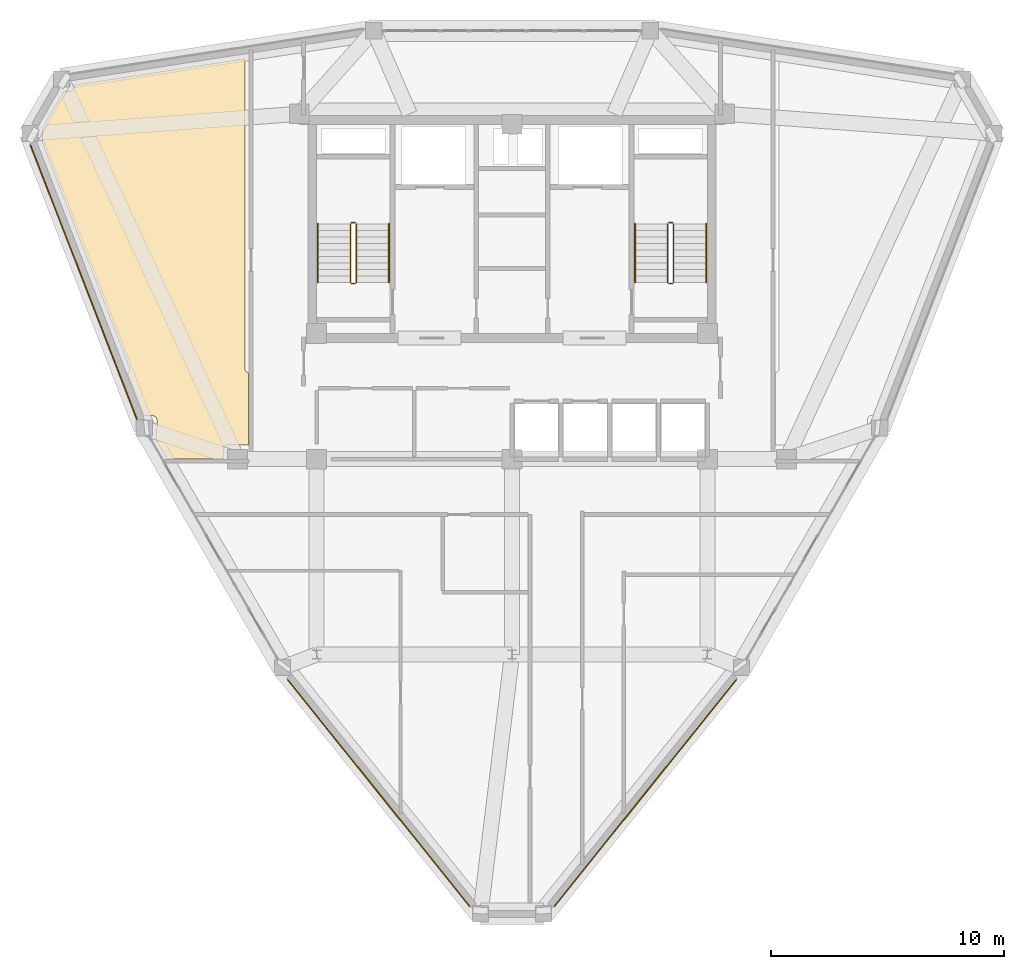
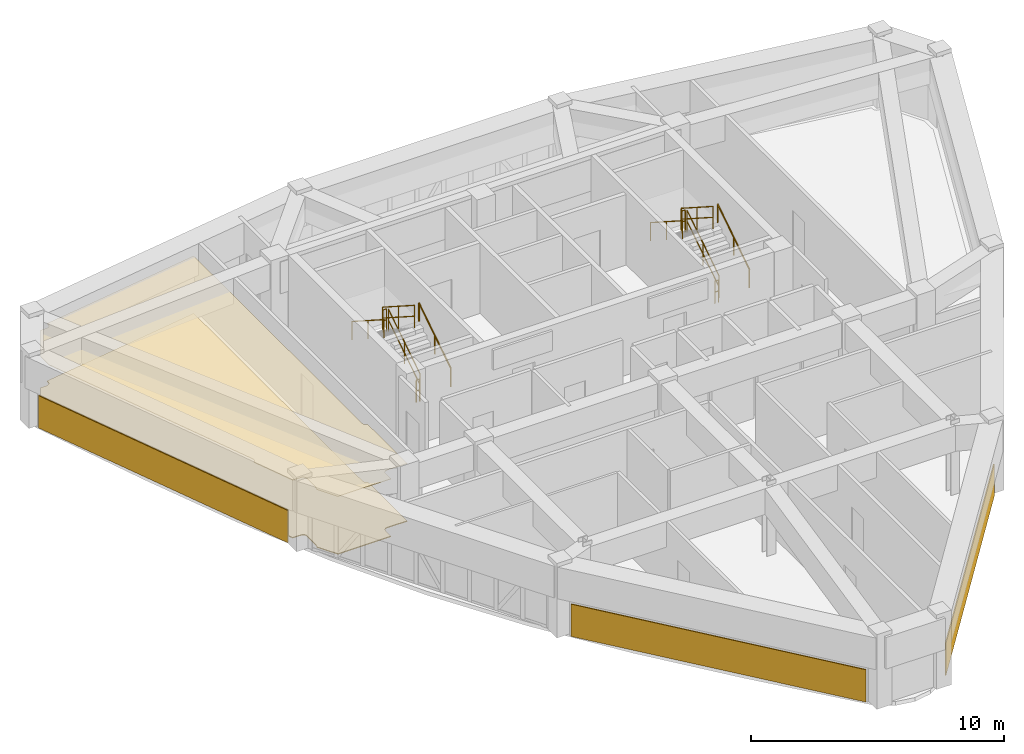
# One storey, part 15 of 16: 12 railings, 5 coverings.
"""IFC4 building model written with IfcOpenShell, lengths in metres."""

import ifcopenshell
import ifcopenshell.guid

model = None  # the IFC model being written
_history = None  # IfcOwnerHistory: only IFC2X3 demands one
_inside = {}  # id of a spatial element -> (the spatial element, [elements in it])
_under = {}  # id of a project, library or spatial element -> (it, [spatial elements below it])
_declared = {}  # id of a project -> (the project, [libraries it declares])
_typed = {}  # id of a type object -> (the type object, [elements of that type])
_made_of = {}  # id of a material, layer set ... -> (it, [elements and type objects made of it])


def new_model(schema):
    """Start an empty IFC model of exactly this schema.

    Asked for "IFC4X3", IfcOpenShell would pick the latest addendum, in which some entities
    have other attributes; the version numbers below select the first issue.
    IFC2X3 requires an IfcOwnerHistory on every rooted entity: one is made here for all.
    """
    global model, _history
    if schema == "IFC4X3":
        model = ifcopenshell.file(schema_version=(4, 3, 0, 0))
    else:
        model = ifcopenshell.file(schema=schema)
    _inside.clear()
    _under.clear()
    _declared.clear()
    _typed.clear()
    _made_of.clear()
    _history = None
    if model.schema == "IFC2X3":
        org = make("IfcOrganization", Name="unknown")
        user = make(
            "IfcPersonAndOrganization",
            ThePerson=make("IfcPerson", FamilyName="unknown"),
            TheOrganization=org,
        )
        app = make(
            "IfcApplication",
            ApplicationDeveloper=org,
            Version="unknown",
            ApplicationFullName="unknown",
            ApplicationIdentifier="unknown",
        )
        _history = make(
            "IfcOwnerHistory",
            OwningUser=user,
            OwningApplication=app,
            ChangeAction="ADDED",
            CreationDate=0,
        )
    return model


def make(cls, **values):
    """One entity of the class cls with the attributes given. An attribute that is None is left unset."""
    return model.create_entity(
        cls, **{name: value for name, value in values.items() if value is not None}
    )


def rooted(cls, **values):
    """An entity with a GlobalId (a new one), such as an element, a storey or a relation."""
    return make(cls, GlobalId=ifcopenshell.guid.new(), OwnerHistory=_history, **values)


def si_unit(unit_type, name, prefix=None):
    """IfcSIUnit, for example si_unit("LENGTHUNIT", "METRE", prefix="MILLI")."""
    return make("IfcSIUnit", UnitType=unit_type, Prefix=prefix, Name=name)


def derived_unit(unit_type, elements):
    """IfcDerivedUnit: a product of units, each with its exponent."""
    return make(
        "IfcDerivedUnit",
        Elements=[
            make("IfcDerivedUnitElement", Unit=unit, Exponent=power)
            for unit, power in elements
        ],
        UnitType=unit_type,
    )


def assignment(units):
    """IfcUnitAssignment: the units of a project."""
    return None if units is None else make("IfcUnitAssignment", Units=units)


def point(xyz):
    """IfcCartesianPoint."""
    return None if xyz is None else make("IfcCartesianPoint", Coordinates=xyz)


def direction(xyz):
    """IfcDirection."""
    return None if xyz is None else make("IfcDirection", DirectionRatios=xyz)


def frame(location, z_axis=None, x_axis=None):
    """IfcAxis2Placement3D, a coordinate frame: its origin and axes. An axis left out is left unset."""
    return make(
        "IfcAxis2Placement3D",
        Location=point(location),
        Axis=direction(z_axis),
        RefDirection=direction(x_axis),
    )


def frame_2d(location, x_axis=None):
    """IfcAxis2Placement2D, a coordinate frame in the plane: its origin and x axis."""
    return make(
        "IfcAxis2Placement2D", Location=point(location), RefDirection=direction(x_axis)
    )


def origin():
    """The frame at (0, 0, 0) with its axes left unset."""
    return frame((0.0, 0.0, 0.0))


def origin_2d():
    """The frame at (0, 0) in the plane with its x axis left unset."""
    return frame_2d((0.0, 0.0))


def place(relative_to, where):
    """IfcLocalPlacement: puts the frame where relative to a parent placement (None: the world)."""
    return make(
        "IfcLocalPlacement", PlacementRelTo=relative_to, RelativePlacement=where
    )


def context(
    kind, dimensions, precision=None, world=None, true_north=None, identifier=None
):
    """IfcGeometricRepresentationContext, for example the 3D "Model" context."""
    return make(
        "IfcGeometricRepresentationContext",
        ContextIdentifier=identifier,
        ContextType=kind,
        CoordinateSpaceDimension=dimensions,
        Precision=precision,
        WorldCoordinateSystem=world,
        TrueNorth=true_north,
    )


def subcontext(parent, identifier, kind, view, scale=None):
    """IfcGeometricRepresentationSubContext, for example "Body" below "Model"."""
    return make(
        "IfcGeometricRepresentationSubContext",
        ContextIdentifier=identifier,
        ContextType=kind,
        ParentContext=parent,
        TargetScale=scale,
        TargetView=view,
    )


def project(units=None, contexts=None):
    """IfcProject with its units and contexts."""
    return rooted(
        "IfcProject",
        Name="project",
        RepresentationContexts=contexts,
        UnitsInContext=assignment(units),
    )


def spatial(cls, under=None, at=None, **own):
    """A site, building, storey or space (cls), placed at a placement, below another one or the project."""
    s = rooted(cls, ObjectPlacement=at, **own)
    if under is not None:
        _under.setdefault(under.id(), (under, []))[1].append(s)
    return s


def polyline(points):
    """IfcPolyline through the points."""
    return make("IfcPolyline", Points=[point(p) for p in points])


def profile(cls, at=None, kind="AREA", **sizes):
    """A parametric profile (cls). Its sizes go by their IFC names, for example OverallWidth=200.0."""
    return make(cls, ProfileType=kind, Position=at, **sizes)


def circle(**sizes):
    """IfcCircleProfileDef."""
    return profile("IfcCircleProfileDef", **sizes)


def outline(outer, holes=None, kind="AREA"):
    """IfcArbitraryClosedProfileDef: a profile drawn as a closed curve; with holes, ...WithVoids."""
    if holes is None:
        return make("IfcArbitraryClosedProfileDef", ProfileType=kind, OuterCurve=outer)
    return make(
        "IfcArbitraryProfileDefWithVoids",
        ProfileType=kind,
        OuterCurve=outer,
        InnerCurves=holes,
    )


def extrude(swept, where, along, depth):
    """IfcExtrudedAreaSolid: the profile swept, set in the frame where, extruded along a direction by depth."""
    return make(
        "IfcExtrudedAreaSolid",
        SweptArea=swept,
        Position=where,
        ExtrudedDirection=direction(along),
        Depth=depth,
    )


def shape(context_of_items, identifier, shape_type, items):
    """IfcShapeRepresentation: the items that make up one representation, for example the "Body"."""
    return make(
        "IfcShapeRepresentation",
        ContextOfItems=context_of_items,
        RepresentationIdentifier=identifier,
        RepresentationType=shape_type,
        Items=items,
    )


def material(Name=None, Category=None):
    """IfcMaterial."""
    return make("IfcMaterial", Name=Name, Category=Category)


def layer(
    of_material, thickness, ventilated=None, Name=None, Category=None, Priority=None
):
    """IfcMaterialLayer: one layer of a wall or slab, of a material (None: an air gap)."""
    return make(
        "IfcMaterialLayer",
        Material=of_material,
        LayerThickness=thickness,
        IsVentilated=ventilated,
        Name=Name,
        Category=Category,
        Priority=Priority,
    )


def layer_set(layers, Name=None):
    """IfcMaterialLayerSet."""
    return make("IfcMaterialLayerSet", MaterialLayers=layers, LayerSetName=Name)


def made_of(thing, what):
    """Note that an element or type object is made of a material, layer set ...; save() writes the relation."""
    if what is not None:
        _made_of.setdefault(what.id(), (what, []))[1].append(thing)
    return thing


def type_object(cls, material=None, **own):
    """A type object (cls), such as IfcWallType, which elements share."""
    return made_of(rooted(cls, **own), material)


def element(
    cls,
    number,
    at=None,
    inside=None,
    cuts=None,
    type_object=None,
    material=None,
    context=None,
    identifier="Body",
    shape_type=None,
    held_by="IfcProductDefinitionShape",
    body=None,
    shapes=None,
    **own,
):
    """One element of the class cls, such as IfcWall. Its Tag is "e" and its number.

    at: its placement. inside: the storey or other place that contains it. cuts: it is an
    opening in that element (IfcRelVoidsElement). A single representation is given by context,
    identifier, shape_type and body (its items); several are given by shapes. held_by: the class
    of the entity that holds the representations. save() writes the other relations.
    """
    e = rooted(cls, Tag="e%d" % number, ObjectPlacement=at, **own)
    if body is not None:
        shapes = [shape(context, identifier, shape_type, body)]
    if shapes is not None:
        e.Representation = make(held_by, Representations=shapes)
    if inside is not None:
        _inside.setdefault(inside.id(), (inside, []))[1].append(e)
    if cuts is not None:
        rooted(
            "IfcRelVoidsElement", RelatingBuildingElement=cuts, RelatedOpeningElement=e
        )
    if type_object is not None:
        _typed.setdefault(type_object.id(), (type_object, []))[1].append(e)
    return made_of(e, material)


def aggregate(whole, parts):
    """IfcRelAggregates: a whole, such as a stair, and the parts it consists of."""
    return rooted("IfcRelAggregates", RelatingObject=whole, RelatedObjects=parts)


def save(model, path):
    """Write the relations noted so far, then the file.

    IfcRelAggregates (storeys below a building ...), IfcRelContainedInSpatialStructure (elements
    in a storey), IfcRelDefinesByType, IfcRelAssociatesMaterial and IfcRelDeclares: one each for
    every whole, place, type object, material and project.
    """
    for whole, parts in _under.values():
        aggregate(whole, parts)
    for where, things in _inside.values():
        rooted(
            "IfcRelContainedInSpatialStructure",
            RelatedElements=things,
            RelatingStructure=where,
        )
    for kind, things in _typed.values():
        rooted("IfcRelDefinesByType", RelatedObjects=things, RelatingType=kind)
    for what, things in _made_of.values():
        rooted("IfcRelAssociatesMaterial", RelatedObjects=things, RelatingMaterial=what)
    for by, libraries in _declared.values():
        rooted("IfcRelDeclares", RelatingContext=by, RelatedDefinitions=libraries)
    model.write(path)


model = new_model("IFC4")

# Units and contexts
model_context = context("Model", 3, precision=1e-05, world=origin(), true_north=direction((0.0, 1.0)))
body_context = subcontext(model_context, "Body", "Model", "MODEL_VIEW")
ifc_project = project(units=[si_unit("LENGTHUNIT", "METRE"), si_unit("AREAUNIT", "SQUARE_METRE"), si_unit("VOLUMEUNIT", "CUBIC_METRE"), si_unit("PLANEANGLEUNIT", "RADIAN"), si_unit("MASSUNIT", "GRAM", prefix="KILO"), derived_unit("THERMALTRANSMITTANCEUNIT", [(si_unit("POWERUNIT", "WATT"), 1), (si_unit("LENGTHUNIT", "METRE"), -2), (si_unit("THERMODYNAMICTEMPERATUREUNIT", "KELVIN"), -1)])], contexts=[model_context])

# Site, building, storey
site_placement = place(None, origin())
site = spatial("IfcSite", under=ifc_project, at=site_placement, CompositionType="ELEMENT")
building_placement = place(site_placement, origin())
building = spatial("IfcBuilding", under=site, at=building_placement, Name="Korsvarv Bourse and Concert Hall", CompositionType="ELEMENT")
storey_placement = place(building_placement, frame((0.0, 0.0, 261.0)))
storey = spatial("IfcBuildingStorey", under=building, at=storey_placement, Name="L68", CompositionType="ELEMENT", Elevation=261.0)

# Coverings
ifc_material_1 = material(Name="Perforated mineral-wool and birch acoustic baffle ceiling", Category="wood")
ifc_layer_1 = layer(ifc_material_1, 0.02490234375)
ifc_layer_set_1 = layer_set([ifc_layer_1], Name="Perforated mineral-wool and birch acoustic baffle ceiling")
covering_type_1 = type_object("IfcCoveringType", Name="COV-CEIL-1", PredefinedType="CEILING", material=ifc_layer_set_1)
covering_1_placement = place(storey_placement, frame((0.0, 0.0, 2.7900390625)))
element("IfcCovering", 1, at=covering_1_placement, inside=storey, type_object=covering_type_1, Name="L68 acoustic baffle ceiling 1", PredefinedType="CEILING", context=body_context, shape_type="SweptSolid", body=[
    extrude(outline(polyline([(15.80078125, 46.001708984375), (15.8046875, 46.036376953125), (15.814208984375, 46.653076171875), (16.71240234375, 48.208984375), (16.9814453125, 48.208984375), (17.015625, 48.21240234375), (17.048583984375, 48.221923828125), (17.079345703125, 48.23779296875), (17.106201171875, 48.25927734375), (17.128662109375, 48.285400390625), (17.145751953125, 48.315185546875), (17.15673828125, 48.347900390625), (17.161376953125, 48.3818359375), (17.16552734375, 48.4873046875), (24.52001953125, 49.623779296875), (24.52001953125, 36.2900390625), (24.523681640625, 36.25390625), (24.53466796875, 36.218994140625), (24.55224609375, 36.187255859375), (24.575927734375, 36.15966796875), (24.604736328125, 36.13720703125), (24.637451171875, 36.12109375), (24.672607421875, 36.112060546875), (24.679931640625, 32.9990234375), (24.654541015625, 33.00390625), (23.777099609375, 33.014892578125), (23.741943359375, 33.011962890625), (23.708251953125, 33.002197265625), (23.677001953125, 32.986083984375), (23.6494140625, 32.964111328125), (23.626708984375, 32.937255859375), (23.60986328125, 32.906494140625), (23.59912109375, 32.872802734375), (23.594970703125, 32.837890625), (23.587890625, 32.409912109375), (21.243896484375, 32.409912109375), (21.206787109375, 32.40625), (21.173095703125, 32.3955078125), (20.6748046875, 33.258544921875), (20.689208984375, 33.276611328125), (20.705810546875, 33.30712890625), (20.71630859375, 33.340576171875), (20.72021484375, 33.375244140625), (20.730224609375, 34.085205078125), (20.727294921875, 34.120361328125), (20.7177734375, 34.154052734375), (20.70166015625, 34.185302734375), (20.6796875, 34.212890625), (20.65283203125, 34.235595703125), (20.622314453125, 34.252685546875), (20.5888671875, 34.263671875), (20.553955078125, 34.267822265625), (20.1748046875, 34.275390625), (19.45849609375, 36.1201171875), (19.480224609375, 36.1337890625), (19.506591796875, 36.157958984375), (19.52783203125, 36.18701171875), (19.54296875, 36.2197265625), (19.551025390625, 36.2548828125), (19.55224609375, 36.290771484375), (19.546142578125, 36.326171875), (15.80078125, 46.001708984375)])), origin(), (0.0, 0.0, 1.0), 0.02490234375),
])
ifc_material_2 = material(Name="Warm iron-oxide extruded terracotta rainscreen tile", Category="ceramic")
ifc_layer_2 = layer(ifc_material_2, 0.044921875)
ifc_layer_set_2 = layer_set([ifc_layer_2], Name="Warm iron-oxide extruded terracotta rainscreen tile")
covering_type_2 = type_object("IfcCoveringType", Name="COV-CLD-TC", PredefinedType="CLADDING", material=ifc_layer_set_2)
covering_2_placement = place(storey_placement, origin())
element("IfcCovering", 2, at=covering_2_placement, inside=storey, type_object=covering_type_2, Name="L68 fluted terracotta cladding panel EW-L68-B06", PredefinedType="CLADDING", context=body_context, shape_type="SweptSolid", body=[
    extrude(outline(polyline([(15.315673828125, 45.920654296875), (19.897705078125, 34.118408203125), (19.855712890625, 34.102294921875), (15.273681640625, 45.904296875), (15.315673828125, 45.920654296875)])), origin(), (0.0, 0.0, 1.0), 1.56005859375),
])
covering_3_placement = place(storey_placement, origin())
element("IfcCovering", 3, at=covering_3_placement, inside=storey, type_object=covering_type_2, Name="L68 fluted terracotta cladding panel EW-L68-B08", PredefinedType="CLADDING", context=body_context, shape_type="SweptSolid", body=[
    extrude(outline(polyline([(26.3662109375, 22.9375), (34.202880859375, 13.184814453125), (34.167724609375, 13.156494140625), (26.3310546875, 22.909423828125), (26.3662109375, 22.9375)])), origin(), (0.0, 0.0, 1.0), 1.56005859375),
])
covering_4_placement = place(storey_placement, origin())
element("IfcCovering", 4, at=covering_4_placement, inside=storey, type_object=covering_type_2, Name="L68 fluted terracotta cladding panel EW-L68-B10", PredefinedType="CLADDING", context=body_context, shape_type="SweptSolid", body=[
    extrude(outline(polyline([(37.797119140625, 13.184814453125), (45.6337890625, 22.9375), (45.6689453125, 22.909423828125), (37.832275390625, 13.156494140625), (37.797119140625, 13.184814453125)])), origin(), (0.0, 0.0, 1.0), 1.56005859375),
])
ifc_material_3 = material(Name="Calcium-sulphate raised access trading floor with Nordic oak top", Category="wood")
ifc_layer_3 = layer(ifc_material_3, 0.0400390625)
ifc_layer_set_3 = layer_set([ifc_layer_3], Name="Calcium-sulphate raised access trading floor with Nordic oak top")
covering_type_3 = type_object("IfcCoveringType", Name="COV-FLOR-1", PredefinedType="FLOORING", material=ifc_layer_set_3)
covering_5_placement = place(storey_placement, origin())
element("IfcCovering", 5, at=covering_5_placement, inside=storey, type_object=covering_type_3, Name="L68 raised access oak floor finish 1", PredefinedType="FLOORING", context=body_context, shape_type="SweptSolid", body=[
    extrude(outline(polyline([(15.80078125, 46.001708984375), (15.8046875, 46.036376953125), (15.814208984375, 46.653076171875), (16.71240234375, 48.208984375), (16.9814453125, 48.208984375), (17.015625, 48.21240234375), (17.048583984375, 48.221923828125), (17.079345703125, 48.23779296875), (17.106201171875, 48.25927734375), (17.128662109375, 48.285400390625), (17.145751953125, 48.315185546875), (17.15673828125, 48.347900390625), (17.161376953125, 48.3818359375), (17.16552734375, 48.4873046875), (24.52001953125, 49.623779296875), (24.52001953125, 36.2900390625), (24.523681640625, 36.25390625), (24.53466796875, 36.218994140625), (24.55224609375, 36.187255859375), (24.575927734375, 36.15966796875), (24.604736328125, 36.13720703125), (24.637451171875, 36.12109375), (24.672607421875, 36.112060546875), (24.679931640625, 32.9990234375), (24.654541015625, 33.00390625), (23.777099609375, 33.014892578125), (23.741943359375, 33.011962890625), (23.708251953125, 33.002197265625), (23.677001953125, 32.986083984375), (23.6494140625, 32.964111328125), (23.626708984375, 32.937255859375), (23.60986328125, 32.906494140625), (23.59912109375, 32.872802734375), (23.594970703125, 32.837890625), (23.587890625, 32.409912109375), (21.243896484375, 32.409912109375), (21.206787109375, 32.40625), (21.173095703125, 32.3955078125), (20.6748046875, 33.258544921875), (20.689208984375, 33.276611328125), (20.705810546875, 33.30712890625), (20.71630859375, 33.340576171875), (20.72021484375, 33.375244140625), (20.730224609375, 34.085205078125), (20.727294921875, 34.120361328125), (20.7177734375, 34.154052734375), (20.70166015625, 34.185302734375), (20.6796875, 34.212890625), (20.65283203125, 34.235595703125), (20.622314453125, 34.252685546875), (20.5888671875, 34.263671875), (20.553955078125, 34.267822265625), (20.1748046875, 34.275390625), (19.45849609375, 36.1201171875), (19.480224609375, 36.1337890625), (19.506591796875, 36.157958984375), (19.52783203125, 36.18701171875), (19.54296875, 36.2197265625), (19.551025390625, 36.2548828125), (19.55224609375, 36.290771484375), (19.546142578125, 36.326171875), (15.80078125, 46.001708984375)])), origin(), (0.0, 0.0, 1.0), 0.0400390625),
])

# Railings
ifc_material_4 = material(Name="Painted Steel S355 stair well guardrail", Category="steel")
railing_type_1 = type_object("IfcRailingType", Name="RL-ST-GRD", PredefinedType="GUARDRAIL", material=ifc_material_4)
railing_1_placement = place(storey_placement, frame((29.31005859375, 40.0, 0.179931640625)))
element("IfcRailing", 6, at=railing_1_placement, inside=storey, type_object=railing_type_1, Name="L68 ST-T1 stair guard 1", PredefinedType="GUARDRAIL", context=body_context, shape_type="SweptSolid", body=[
    extrude(circle(Radius=0.02392578125, at=origin_2d()), frame((0.0, 0.0, 1.076171875), z_axis=(0.0, 0.841162588446, 0.540782303519), x_axis=(-1.0, 0.0, 0.0)), (0.0, 0.0, 1.0), 2.995849609375),
    extrude(circle(Radius=0.02392578125, at=origin_2d()), frame((0.0, 0.0, 0.550048828125), z_axis=(0.0, 0.841162588446, 0.540782303519), x_axis=(-1.0, 0.0, 0.0)), (0.0, 0.0, 1.0), 2.995849609375),
    extrude(circle(Radius=0.02099609375, at=origin_2d()), origin(), (0.0, 0.0, 1.0), 1.052001953125),
    extrude(circle(Radius=0.02099609375, at=origin_2d()), frame((0.0, 1.260009765625, 0.81005859375)), (0.0, 0.0, 1.0), 1.052001953125),
    extrude(circle(Radius=0.02099609375, at=origin_2d()), frame((0.0, 2.52001953125, 1.6201171875)), (0.0, 0.0, 1.0), 1.052001953125),
])
railing_2_placement = place(storey_placement, frame((29.260009765625, 42.570068359375, 1.800048828125)))
element("IfcRailing", 7, at=railing_2_placement, inside=storey, type_object=railing_type_1, Name="L68 ST-T1 stair guard 2", PredefinedType="GUARDRAIL", context=body_context, shape_type="SweptSolid", body=[
    extrude(circle(Radius=0.02392578125, at=origin_2d()), frame((0.0, 0.0, 1.076171875), z_axis=(-1.0, 0.0, 0.0), x_axis=(0.0, -1.0, 0.0)), (0.0, 0.0, 1.0), 0.159912109375),
    extrude(circle(Radius=0.02392578125, at=origin_2d()), frame((0.0, 0.0, 0.550048828125), z_axis=(-1.0, 0.0, 0.0), x_axis=(0.0, -1.0, 0.0)), (0.0, 0.0, 1.0), 0.159912109375),
    extrude(circle(Radius=0.02099609375, at=origin_2d()), origin(), (0.0, 0.0, 1.0), 1.052001953125),
    extrude(circle(Radius=0.02099609375, at=origin_2d()), frame((-0.159912109375, 0.0, 0.0)), (0.0, 0.0, 1.0), 1.052001953125),
])
railing_3_placement = place(storey_placement, frame((29.050048828125, 42.52001953125, 1.97998046875)))
element("IfcRailing", 8, at=railing_3_placement, inside=storey, type_object=railing_type_1, Name="L68 ST-T1 stair guard 3", PredefinedType="GUARDRAIL", context=body_context, shape_type="SweptSolid", body=[
    extrude(circle(Radius=0.02392578125, at=origin_2d()), frame((0.0, 0.0, 1.076171875), z_axis=(0.0, -0.841162588446, 0.540782303519), x_axis=(1.0, 0.0, 0.0)), (0.0, 0.0, 1.0), 2.995849609375),
    extrude(circle(Radius=0.02392578125, at=origin_2d()), frame((0.0, 0.0, 0.550048828125), z_axis=(0.0, -0.841162588446, 0.540782303519), x_axis=(1.0, 0.0, 0.0)), (0.0, 0.0, 1.0), 2.995849609375),
    extrude(circle(Radius=0.02099609375, at=origin_2d()), origin(), (0.0, 0.0, 1.0), 1.052001953125),
    extrude(circle(Radius=0.02099609375, at=origin_2d()), frame((0.0, -1.260009765625, 0.81005859375)), (0.0, 0.0, 1.0), 1.052001953125),
    extrude(circle(Radius=0.02099609375, at=origin_2d()), frame((0.0, -2.52001953125, 1.6201171875)), (0.0, 0.0, 1.0), 1.052001953125),
])
railing_4_placement = place(storey_placement, frame((29.260009765625, 39.949951171875, 0.0)))
element("IfcRailing", 9, at=railing_4_placement, inside=storey, type_object=railing_type_1, Name="L68 ST-T1 stair guard 4", PredefinedType="GUARDRAIL", context=body_context, shape_type="SweptSolid", body=[
    extrude(circle(Radius=0.02392578125, at=origin_2d()), frame((0.0, 0.0, 1.076171875), z_axis=(-1.0, 0.0, 0.0), x_axis=(0.0, -1.0, 0.0)), (0.0, 0.0, 1.0), 0.159912109375),
    extrude(circle(Radius=0.02392578125, at=origin_2d()), frame((0.0, 0.0, 0.550048828125), z_axis=(-1.0, 0.0, 0.0), x_axis=(0.0, -1.0, 0.0)), (0.0, 0.0, 1.0), 0.159912109375),
    extrude(circle(Radius=0.02099609375, at=origin_2d()), origin(), (0.0, 0.0, 1.0), 1.052001953125),
    extrude(circle(Radius=0.02099609375, at=origin_2d()), frame((-0.159912109375, 0.0, 0.0)), (0.0, 0.0, 1.0), 1.052001953125),
])
railing_5_placement = place(storey_placement, frame((42.949951171875, 40.0, 0.179931640625)))
element("IfcRailing", 10, at=railing_5_placement, inside=storey, type_object=railing_type_1, Name="L68 ST-T2 stair guard 1", PredefinedType="GUARDRAIL", context=body_context, shape_type="SweptSolid", body=[
    extrude(circle(Radius=0.02392578125, at=origin_2d()), frame((0.0, 0.0, 1.076171875), z_axis=(0.0, 0.841162588446, 0.540782303519), x_axis=(-1.0, 0.0, 0.0)), (0.0, 0.0, 1.0), 2.995849609375),
    extrude(circle(Radius=0.02392578125, at=origin_2d()), frame((0.0, 0.0, 0.550048828125), z_axis=(0.0, 0.841162588446, 0.540782303519), x_axis=(-1.0, 0.0, 0.0)), (0.0, 0.0, 1.0), 2.995849609375),
    extrude(circle(Radius=0.02099609375, at=origin_2d()), origin(), (0.0, 0.0, 1.0), 1.052001953125),
    extrude(circle(Radius=0.02099609375, at=origin_2d()), frame((0.0, 1.260009765625, 0.81005859375)), (0.0, 0.0, 1.0), 1.052001953125),
    extrude(circle(Radius=0.02099609375, at=origin_2d()), frame((0.0, 2.52001953125, 1.6201171875)), (0.0, 0.0, 1.0), 1.052001953125),
])
railing_6_placement = place(storey_placement, frame((42.89990234375, 42.570068359375, 1.800048828125)))
element("IfcRailing", 11, at=railing_6_placement, inside=storey, type_object=railing_type_1, Name="L68 ST-T2 stair guard 2", PredefinedType="GUARDRAIL", context=body_context, shape_type="SweptSolid", body=[
    extrude(circle(Radius=0.02392578125, at=origin_2d()), frame((0.0, 0.0, 1.076171875), z_axis=(-1.0, 0.0, 0.0), x_axis=(0.0, -1.0, 0.0)), (0.0, 0.0, 1.0), 0.159912109375),
    extrude(circle(Radius=0.02392578125, at=origin_2d()), frame((0.0, 0.0, 0.550048828125), z_axis=(-1.0, 0.0, 0.0), x_axis=(0.0, -1.0, 0.0)), (0.0, 0.0, 1.0), 0.159912109375),
    extrude(circle(Radius=0.02099609375, at=origin_2d()), origin(), (0.0, 0.0, 1.0), 1.052001953125),
    extrude(circle(Radius=0.02099609375, at=origin_2d()), frame((-0.159912109375, 0.0, 0.0)), (0.0, 0.0, 1.0), 1.052001953125),
])
railing_7_placement = place(storey_placement, frame((42.68994140625, 42.52001953125, 1.97998046875)))
element("IfcRailing", 12, at=railing_7_placement, inside=storey, type_object=railing_type_1, Name="L68 ST-T2 stair guard 3", PredefinedType="GUARDRAIL", context=body_context, shape_type="SweptSolid", body=[
    extrude(circle(Radius=0.02392578125, at=origin_2d()), frame((0.0, 0.0, 1.076171875), z_axis=(0.0, -0.841162588446, 0.540782303519), x_axis=(1.0, 0.0, 0.0)), (0.0, 0.0, 1.0), 2.995849609375),
    extrude(circle(Radius=0.02392578125, at=origin_2d()), frame((0.0, 0.0, 0.550048828125), z_axis=(0.0, -0.841162588446, 0.540782303519), x_axis=(1.0, 0.0, 0.0)), (0.0, 0.0, 1.0), 2.995849609375),
    extrude(circle(Radius=0.02099609375, at=origin_2d()), origin(), (0.0, 0.0, 1.0), 1.052001953125),
    extrude(circle(Radius=0.02099609375, at=origin_2d()), frame((0.0, -1.260009765625, 0.81005859375)), (0.0, 0.0, 1.0), 1.052001953125),
    extrude(circle(Radius=0.02099609375, at=origin_2d()), frame((0.0, -2.52001953125, 1.6201171875)), (0.0, 0.0, 1.0), 1.052001953125),
])
railing_8_placement = place(storey_placement, frame((42.89990234375, 39.949951171875, 0.0)))
element("IfcRailing", 13, at=railing_8_placement, inside=storey, type_object=railing_type_1, Name="L68 ST-T2 stair guard 4", PredefinedType="GUARDRAIL", context=body_context, shape_type="SweptSolid", body=[
    extrude(circle(Radius=0.02392578125, at=origin_2d()), frame((0.0, 0.0, 1.076171875), z_axis=(-1.0, 0.0, 0.0), x_axis=(0.0, -1.0, 0.0)), (0.0, 0.0, 1.0), 0.159912109375),
    extrude(circle(Radius=0.02392578125, at=origin_2d()), frame((0.0, 0.0, 0.550048828125), z_axis=(-1.0, 0.0, 0.0), x_axis=(0.0, -1.0, 0.0)), (0.0, 0.0, 1.0), 0.159912109375),
    extrude(circle(Radius=0.02099609375, at=origin_2d()), origin(), (0.0, 0.0, 1.0), 1.052001953125),
    extrude(circle(Radius=0.02099609375, at=origin_2d()), frame((-0.159912109375, 0.0, 0.0)), (0.0, 0.0, 1.0), 1.052001953125),
])
ifc_material_5 = material(Name="Brushed stainless Steel S355 tubular handrail", Category="steel")
railing_type_2 = type_object("IfcRailingType", Name="RL-ST-HND", PredefinedType="HANDRAIL", material=ifc_material_5)
railing_9_placement = place(storey_placement, frame((30.7099609375, 40.0, 0.179931640625)))
element("IfcRailing", 14, at=railing_9_placement, inside=storey, type_object=railing_type_2, Name="L68 ST-T1 stair handrail 1", PredefinedType="HANDRAIL", context=body_context, shape_type="SweptSolid", body=[
    extrude(circle(Radius=0.02392578125, at=origin_2d()), frame((0.0, 0.0, 0.8759765625), z_axis=(0.0, 0.841162588446, 0.540782303519), x_axis=(-1.0, 0.0, 0.0)), (0.0, 0.0, 1.0), 2.995849609375),
    extrude(circle(Radius=0.02099609375, at=origin_2d()), origin(), (0.0, 0.0, 1.0), 0.851806640625),
    extrude(circle(Radius=0.02099609375, at=origin_2d()), frame((0.0, 1.260009765625, 0.81005859375)), (0.0, 0.0, 1.0), 0.851806640625),
    extrude(circle(Radius=0.02099609375, at=origin_2d()), frame((0.0, 2.52001953125, 1.6201171875)), (0.0, 0.0, 1.0), 0.851806640625),
])
railing_10_placement = place(storey_placement, frame((27.64990234375, 42.52001953125, 1.97998046875)))
element("IfcRailing", 15, at=railing_10_placement, inside=storey, type_object=railing_type_2, Name="L68 ST-T1 stair handrail 2", PredefinedType="HANDRAIL", context=body_context, shape_type="SweptSolid", body=[
    extrude(circle(Radius=0.02392578125, at=origin_2d()), frame((0.0, 0.0, 0.8759765625), z_axis=(0.0, -0.841162588446, 0.540782303519), x_axis=(1.0, 0.0, 0.0)), (0.0, 0.0, 1.0), 2.995849609375),
    extrude(circle(Radius=0.02099609375, at=origin_2d()), origin(), (0.0, 0.0, 1.0), 0.851806640625),
    extrude(circle(Radius=0.02099609375, at=origin_2d()), frame((0.0, -1.260009765625, 0.81005859375)), (0.0, 0.0, 1.0), 0.851806640625),
    extrude(circle(Radius=0.02099609375, at=origin_2d()), frame((0.0, -2.52001953125, 1.6201171875)), (0.0, 0.0, 1.0), 0.851806640625),
])
railing_11_placement = place(storey_placement, frame((44.35009765625, 40.0, 0.179931640625)))
element("IfcRailing", 16, at=railing_11_placement, inside=storey, type_object=railing_type_2, Name="L68 ST-T2 stair handrail 1", PredefinedType="HANDRAIL", context=body_context, shape_type="SweptSolid", body=[
    extrude(circle(Radius=0.02392578125, at=origin_2d()), frame((0.0, 0.0, 0.8759765625), z_axis=(0.0, 0.841162588446, 0.540782303519), x_axis=(-1.0, 0.0, 0.0)), (0.0, 0.0, 1.0), 2.995849609375),
    extrude(circle(Radius=0.02099609375, at=origin_2d()), origin(), (0.0, 0.0, 1.0), 0.851806640625),
    extrude(circle(Radius=0.02099609375, at=origin_2d()), frame((0.0, 1.260009765625, 0.81005859375)), (0.0, 0.0, 1.0), 0.851806640625),
    extrude(circle(Radius=0.02099609375, at=origin_2d()), frame((0.0, 2.52001953125, 1.6201171875)), (0.0, 0.0, 1.0), 0.851806640625),
])
railing_12_placement = place(storey_placement, frame((41.2900390625, 42.52001953125, 1.97998046875)))
element("IfcRailing", 17, at=railing_12_placement, inside=storey, type_object=railing_type_2, Name="L68 ST-T2 stair handrail 2", PredefinedType="HANDRAIL", context=body_context, shape_type="SweptSolid", body=[
    extrude(circle(Radius=0.02392578125, at=origin_2d()), frame((0.0, 0.0, 0.8759765625), z_axis=(0.0, -0.841162588446, 0.540782303519), x_axis=(1.0, 0.0, 0.0)), (0.0, 0.0, 1.0), 2.995849609375),
    extrude(circle(Radius=0.02099609375, at=origin_2d()), origin(), (0.0, 0.0, 1.0), 0.851806640625),
    extrude(circle(Radius=0.02099609375, at=origin_2d()), frame((0.0, -1.260009765625, 0.81005859375)), (0.0, 0.0, 1.0), 0.851806640625),
    extrude(circle(Radius=0.02099609375, at=origin_2d()), frame((0.0, -2.52001953125, 1.6201171875)), (0.0, 0.0, 1.0), 0.851806640625),
])

save(model, "model.ifc")
